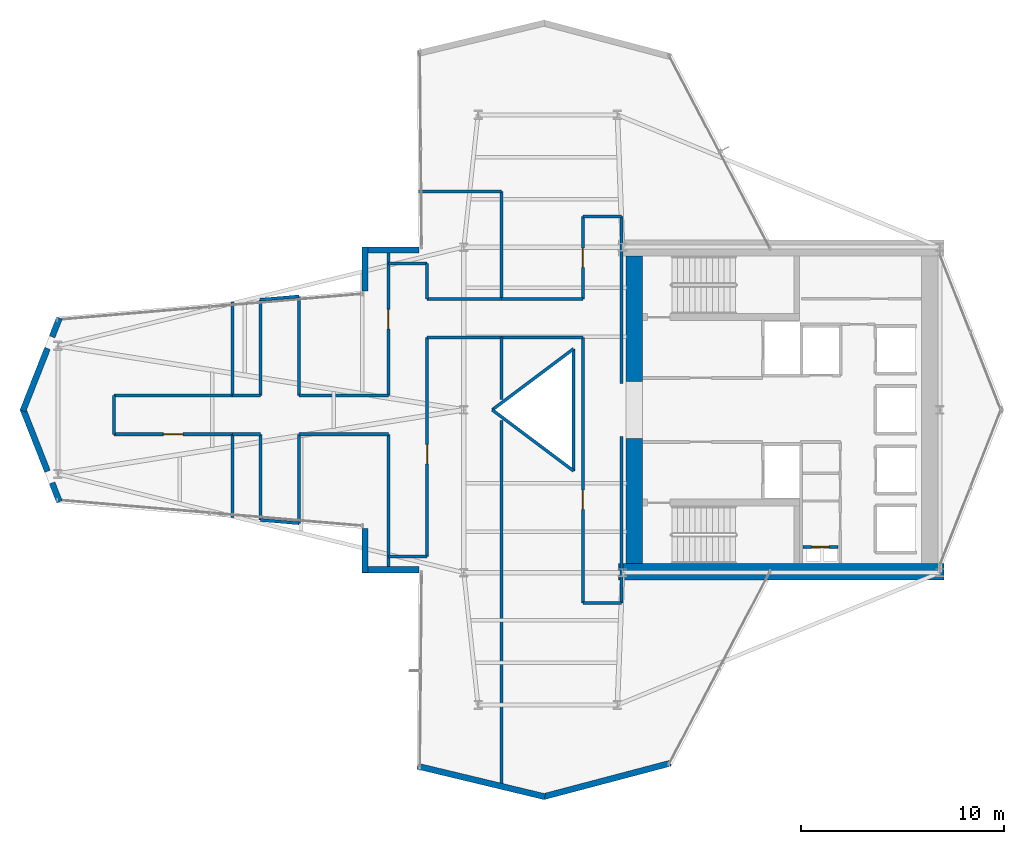
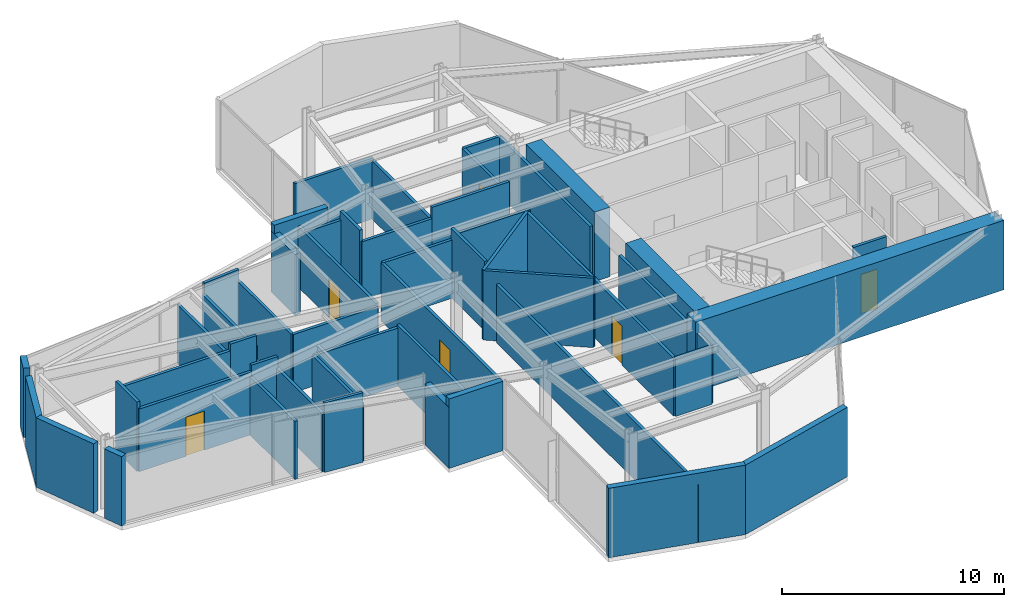
# One storey, part 22 of 25: 52 walls, 6 doors, 6 openings.
"""IFC4 building model written with IfcOpenShell, lengths in metres."""

from ifc_helpers import new_model, si_unit, direction, frame, frame_2d, origin, place, context, subcontext, project, spatial, rectangle, extrude, material, layer, layer_set, type_object, element, fill, save


model = new_model("IFC4")

# Units and contexts
model_context = context("Model", 3, precision=1e-05, world=origin(), true_north=direction((0.0, 1.0)))
body_context = subcontext(model_context, "Body", "Model", "MODEL_VIEW")
ifc_project = project(units=[si_unit("LENGTHUNIT", "METRE"), si_unit("AREAUNIT", "SQUARE_METRE"), si_unit("VOLUMEUNIT", "CUBIC_METRE"), si_unit("PLANEANGLEUNIT", "RADIAN"), si_unit("MASSUNIT", "GRAM", prefix="KILO")], contexts=[model_context])

# Site, building, storey
site_placement = place(None, origin())
site = spatial("IfcSite", under=ifc_project, at=site_placement, CompositionType="ELEMENT")
building_placement = place(site_placement, origin())
building = spatial("IfcBuilding", under=site, at=building_placement, Name="Veymaron Broadcast Tower", CompositionType="ELEMENT")
storey_placement = place(building_placement, frame((0.0, 0.0, 141.14990234375)))
storey = spatial("IfcBuildingStorey", under=building, at=storey_placement, Name="L32", CompositionType="ELEMENT", Elevation=141.14990234375)

# Walls
ifc_material_1 = material(Name="Precast concrete C40/50 with mineral-wool insulation", Category="concrete")
ifc_layer_1 = layer(ifc_material_1, 0.300048828125)
ifc_layer_set_1 = layer_set([ifc_layer_1], Name="Precast concrete C40/50 with mineral-wool insulation")
wall_type_1 = type_object("IfcWallType", Name="WALL-EXT-300", PredefinedType="STANDARD", material=ifc_layer_set_1)
wall_1_placement = place(storey_placement, frame((28.992431640625, 31.860107421875, 0.0), z_axis=(0.0, 0.0, 1.0), x_axis=(-1.0, 0.0, 0.0)))
element("IfcWall", 1, at=wall_1_placement, inside=storey, type_object=wall_type_1, Name="L32 notched corner facade pier 9-1", PredefinedType="STANDARD", context=body_context, shape_type="SweptSolid", body=[
    extrude(rectangle(XDim=2.79248046875, YDim=0.300048828125, at=frame_2d((1.396240234375, 0.0))), origin(), (0.0, 0.0, 1.0), 3.81005859375),
])
wall_2_placement = place(storey_placement, frame((26.340087890625, 32.0, 0.0), z_axis=(0.0, 0.0, 1.0), x_axis=(0.0, -1.0, 0.0)))
element("IfcWall", 2, at=wall_2_placement, inside=storey, type_object=wall_type_1, Name="L32 notched corner facade pier 10-1", PredefinedType="STANDARD", context=body_context, shape_type="SweptSolid", body=[
    extrude(rectangle(XDim=2.162109375, YDim=0.300048828125, at=frame_2d((1.0810546875, 0.0))), origin(), (0.0, 0.0, 1.0), 3.338134765625),
])
wall_3_placement = place(storey_placement, frame((11.330078125, 28.514404296875, 0.0), z_axis=(0.0, 0.0, 1.0), x_axis=(-0.36655033137, -0.930398223651, 0.0)))
element("IfcWall", 3, at=wall_3_placement, inside=storey, type_object=wall_type_1, Name="L32 notched corner facade pier 12-1", PredefinedType="STANDARD", context=body_context, shape_type="SweptSolid", body=[
    extrude(rectangle(XDim=0.992431640625, YDim=0.300048828125, at=frame_2d((0.49609375, 0.0))), origin(), (0.0, 0.0, 1.0), 3.81005859375),
])
for number, where, z_axis, x_axis, name in (
    (4, (10.741455078125, 27.021240234375, 0.0), (0.0, 0.0, 1.0), (-0.366733939115, -0.930325866512, 0.0), "L32 notched corner facade pier 12-2"),
    (5, (9.5302734375, 24.05126953125, 0.0), (0.0, 0.0, 1.0), (0.366733939115, -0.930325866512, 0.0), "L32 notched corner facade pier 13-1"),
):
    element("IfcWall", number, at=place(storey_placement, frame(where, z_axis=z_axis, x_axis=x_axis)), inside=storey, type_object=wall_type_1, Name=name, PredefinedType="STANDARD", context=body_context, shape_type="SweptSolid", body=[
        extrude(rectangle(XDim=3.302734375, YDim=0.300048828125, at=frame_2d((1.6513671875, 0.0))), origin(), (0.0, 0.0, 1.0), 3.81005859375),
    ])
wall_4_placement = place(storey_placement, frame((10.96630859375, 20.408935546875, 0.0), z_axis=(0.0, 0.0, 1.0), x_axis=(0.36655033137, -0.930398223651, 0.0)))
element("IfcWall", 6, at=wall_4_placement, inside=storey, type_object=wall_type_1, Name="L32 notched corner facade pier 13-2", PredefinedType="STANDARD", context=body_context, shape_type="SweptSolid", body=[
    extrude(rectangle(XDim=0.992431640625, YDim=0.300048828125, at=frame_2d((0.49609375, 0.0))), origin(), (0.0, 0.0, 1.0), 3.81005859375),
])
wall_5_placement = place(storey_placement, frame((26.340087890625, 18.162109375, 0.0), z_axis=(0.0, 0.0, 1.0), x_axis=(0.0, -1.0, 0.0)))
element("IfcWall", 7, at=wall_5_placement, inside=storey, type_object=wall_type_1, Name="L32 notched corner facade pier 15-1", PredefinedType="STANDARD", context=body_context, shape_type="SweptSolid", body=[
    extrude(rectangle(XDim=2.162109375, YDim=0.300048828125, at=frame_2d((1.0810546875, 0.0))), origin(), (0.0, 0.0, 1.0), 3.338134765625),
])
wall_6_placement = place(storey_placement, frame((26.199951171875, 16.139892578125, 0.0), z_axis=(0.0, 0.0, 1.0), x_axis=(1.0, 0.0, 0.0)))
element("IfcWall", 8, at=wall_6_placement, inside=storey, type_object=wall_type_1, Name="L32 notched corner facade pier 16-1", PredefinedType="STANDARD", context=body_context, shape_type="SweptSolid", body=[
    extrude(rectangle(XDim=2.79248046875, YDim=0.300048828125, at=frame_2d((1.396240234375, 0.0))), origin(), (0.0, 0.0, 1.0), 3.81005859375),
])
wall_7_placement = place(storey_placement, frame((28.934814453125, 6.486083984375, 0.0), z_axis=(0.0, 0.0, 1.0), x_axis=(0.972368674271, -0.233450554286, 0.0)))
element("IfcWall", 9, at=wall_7_placement, inside=storey, type_object=wall_type_1, Name="L32 notched corner facade pier 18-1", PredefinedType="STANDARD", context=body_context, shape_type="SweptSolid", body=[
    extrude(rectangle(XDim=6.42529296875, YDim=0.300048828125, at=frame_2d((3.212646484375, 0.0))), origin(), (0.0, 0.0, 1.0), 3.81005859375),
])
wall_8_placement = place(storey_placement, frame((35.1142578125, 4.9853515625, 0.0), z_axis=(0.0, 0.0, 1.0), x_axis=(0.966846094442, 0.255359804319, 0.0)))
element("IfcWall", 10, at=wall_8_placement, inside=storey, type_object=wall_type_1, Name="L32 notched corner facade pier 19-1", PredefinedType="STANDARD", context=body_context, shape_type="SweptSolid", body=[
    extrude(rectangle(XDim=6.462158203125, YDim=0.300048828125, at=frame_2d((3.23095703125, 0.0))), origin(), (0.0, 0.0, 1.0), 3.81005859375),
])

# Wall, opening, door
ifc_material_2 = material(Name="Gypsum fireboard and steel stud framing", Category="steel")
ifc_layer_2 = layer(ifc_material_2, 0.14990234375)
ifc_layer_set_2 = layer_set([ifc_layer_2], Name="Gypsum fireboard and steel stud framing")
wall_type_2 = type_object("IfcWallType", Name="WALL-FIRE-150", PredefinedType="PARTITIONING", material=ifc_layer_set_2)
wall_9_placement = place(storey_placement, frame((47.8798828125, 17.260009765625, 0.0), z_axis=(0.0, 0.0, 1.0), x_axis=(1.0, 0.0, 0.0)))
wall_9 = element("IfcWall", 11, at=wall_9_placement, inside=storey, type_object=wall_type_2, Name="L32 partition IW-L32-RIS-N", PredefinedType="PARTITIONING", context=body_context, shape_type="SweptSolid", body=[
    extrude(rectangle(XDim=1.72021484375, YDim=0.14990234375, at=frame_2d((0.860107421875, 0.0))), origin(), (0.0, 0.0, 1.0), 3.81005859375),
])
opening_1_placement = place(wall_9_placement, frame((0.419921875, 0.0, 0.0)))
opening_1 = element("IfcOpeningElement", 12, at=opening_1_placement, cuts=wall_9, Name="Opening ID-RS1", PredefinedType="OPENING", context=body_context, shape_type="SweptSolid", body=[
    extrude(rectangle(XDim=0.85009765625, YDim=2.14990234375, at=frame_2d((0.425048828125, 1.074951171875))), frame((0.0, 0.0849609375, 0.0), z_axis=(0.0, -1.0, 0.0), x_axis=(1.0, 0.0, 0.0)), (0.0, 0.0, 1.0), 0.169921875),
])
ifc_material_3 = material(Name="Fire-rated powder-coated steel riser leaf", Category="steel")
door_type_1 = type_object("IfcDoorType", Name="DOOR-RIS-850", OperationType="NOTDEFINED", PredefinedType="TRAPDOOR", material=ifc_material_3)
door_1_placement = place(opening_1_placement, origin())
door_1 = element("IfcDoor", 13, at=door_1_placement, inside=storey, type_object=door_type_1, Name="L32 door DR-L32-RIS", OperationType="SINGLE_SWING_LEFT", OverallHeight=2.14990234375, OverallWidth=0.85009765625, PredefinedType="TRAPDOOR", context=body_context, shape_type="SweptSolid", body=[
    extrude(rectangle(XDim=0.85009765625, YDim=2.14990234375, at=frame_2d((0.425048828125, 1.074951171875))), frame((0.0, 0.02490234375, 0.0), z_axis=(0.0, -1.0, 0.0), x_axis=(1.0, 0.0, 0.0)), (0.0, 0.0, 1.0), 0.050048828125),
])
fill(opening_1, door_1)

wall_10_placement = place(storey_placement, frame((37.050048828125, 14.5, 0.0), z_axis=(0.0, 0.0, 1.0), x_axis=(0.0, 1.0, 0.0)))
wall_10 = element("IfcWall", 14, at=wall_10_placement, inside=storey, type_object=wall_type_2, Name="L32 partition IW-L32-P01", PredefinedType="PARTITIONING", context=body_context, shape_type="SweptSolid", body=[
    extrude(rectangle(XDim=13.050048828125, YDim=0.14990234375, at=frame_2d((6.52490234375, 0.0))), origin(), (0.0, 0.0, 1.0), 3.190185546875),
])
opening_2_placement = place(wall_10_placement, frame((4.610107421875, 0.0, 0.0)))
opening_2 = element("IfcOpeningElement", 15, at=opening_2_placement, cuts=wall_10, Name="Opening ID-RM1", PredefinedType="OPENING", context=body_context, shape_type="SweptSolid", body=[
    extrude(rectangle(XDim=0.949951171875, YDim=2.14990234375, at=frame_2d((0.47509765625, 1.074951171875))), frame((0.0, 0.0849609375, 0.0), z_axis=(0.0, -1.0, 0.0), x_axis=(1.0, 0.0, 0.0)), (0.0, 0.0, 1.0), 0.169921875),
])
ifc_material_4 = material(Name="Acoustic solid-core European oak veneer timber", Category="wood")
door_type_2 = type_object("IfcDoorType", Name="DOOR-INT-950", OperationType="NOTDEFINED", PredefinedType="DOOR", material=ifc_material_4)
door_2_placement = place(opening_2_placement, frame((0.949951171875, 0.0, 0.0), z_axis=(0.0, 0.0, 1.0), x_axis=(-1.0, 0.0, 0.0)))
door_2 = element("IfcDoor", 16, at=door_2_placement, inside=storey, type_object=door_type_2, Name="L32 door DR-L32-P01", OperationType="SINGLE_SWING_RIGHT", OverallHeight=2.14990234375, OverallWidth=0.949951171875, PredefinedType="DOOR", context=body_context, shape_type="SweptSolid", body=[
    extrude(rectangle(XDim=0.949951171875, YDim=2.14990234375, at=frame_2d((0.47509765625, 1.074951171875))), frame((0.0, 0.02490234375, 0.0), z_axis=(0.0, -1.0, 0.0), x_axis=(1.0, 0.0, 0.0)), (0.0, 0.0, 1.0), 0.050048828125),
])
fill(opening_2, door_2)

wall_11_placement = place(storey_placement, frame((29.39990234375, 16.800048828125, 0.0), z_axis=(0.0, 0.0, 1.0), x_axis=(0.0, 1.0, 0.0)))
wall_11 = element("IfcWall", 17, at=wall_11_placement, inside=storey, type_object=wall_type_2, Name="L32 partition IW-L32-P05", PredefinedType="PARTITIONING", context=body_context, shape_type="SweptSolid", body=[
    extrude(rectangle(XDim=10.75, YDim=0.14990234375, at=frame_2d((5.375, 0.0))), origin(), (0.0, 0.0, 1.0), 3.190185546875),
])
opening_3_placement = place(wall_11_placement, frame((4.5400390625, 0.0, 0.0)))
opening_3 = element("IfcOpeningElement", 18, at=opening_3_placement, cuts=wall_11, Name="Opening ID-RM1", PredefinedType="OPENING", context=body_context, shape_type="SweptSolid", body=[
    extrude(rectangle(XDim=0.949951171875, YDim=2.14990234375, at=frame_2d((0.47509765625, 1.074951171875))), frame((0.0, 0.0849609375, 0.0), z_axis=(0.0, -1.0, 0.0), x_axis=(1.0, 0.0, 0.0)), (0.0, 0.0, 1.0), 0.169921875),
])
door_3_placement = place(opening_3_placement, frame((0.949951171875, 0.0, 0.0), z_axis=(0.0, 0.0, 1.0), x_axis=(-1.0, 0.0, 0.0)))
door_3 = element("IfcDoor", 19, at=door_3_placement, inside=storey, type_object=door_type_2, Name="L32 door DR-L32-P05", OperationType="SINGLE_SWING_RIGHT", OverallHeight=2.14990234375, OverallWidth=0.949951171875, PredefinedType="DOOR", context=body_context, shape_type="SweptSolid", body=[
    extrude(rectangle(XDim=0.949951171875, YDim=2.14990234375, at=frame_2d((0.47509765625, 1.074951171875))), frame((0.0, 0.02490234375, 0.0), z_axis=(0.0, -1.0, 0.0), x_axis=(1.0, 0.0, 0.0)), (0.0, 0.0, 1.0), 0.050048828125),
])
fill(opening_3, door_3)

wall_12_placement = place(storey_placement, frame((14.0, 22.800048828125, 0.0), z_axis=(0.0, 0.0, 1.0), x_axis=(1.0, 0.0, 0.0)))
wall_12 = element("IfcWall", 20, at=wall_12_placement, inside=storey, type_object=wall_type_2, Name="L32 partition IW-L32-P14", PredefinedType="PARTITIONING", context=body_context, shape_type="SweptSolid", body=[
    extrude(rectangle(XDim=5.8310546875, YDim=0.14990234375, at=frame_2d((2.91552734375, 0.0))), origin(), (0.0, 0.0, 1.0), 3.443115234375),
])
opening_4_placement = place(wall_12_placement, frame((2.4404296875, 0.0, 0.0)))
opening_4 = element("IfcOpeningElement", 21, at=opening_4_placement, cuts=wall_12, Name="Opening ID-RM1", PredefinedType="OPENING", context=body_context, shape_type="SweptSolid", body=[
    extrude(rectangle(XDim=0.949951171875, YDim=2.14990234375, at=frame_2d((0.47509765625, 1.074951171875))), frame((0.0, 0.0849609375, 0.0), z_axis=(0.0, -1.0, 0.0), x_axis=(1.0, 0.0, 0.0)), (0.0, 0.0, 1.0), 0.169921875),
])
door_4_placement = place(opening_4_placement, frame((0.949951171875, 0.0, 0.0), z_axis=(0.0, 0.0, 1.0), x_axis=(-1.0, 0.0, 0.0)))
door_4 = element("IfcDoor", 22, at=door_4_placement, inside=storey, type_object=door_type_2, Name="L32 door DR-L32-P14", OperationType="SINGLE_SWING_LEFT", OverallHeight=2.14990234375, OverallWidth=0.949951171875, PredefinedType="DOOR", context=body_context, shape_type="SweptSolid", body=[
    extrude(rectangle(XDim=0.949951171875, YDim=2.14990234375, at=frame_2d((0.47509765625, 1.074951171875))), frame((0.0, 0.02490234375, 0.0), z_axis=(0.0, -1.0, 0.0), x_axis=(1.0, 0.0, 0.0)), (0.0, 0.0, 1.0), 0.050048828125),
])
fill(opening_4, door_4)

wall_13_placement = place(storey_placement, frame((27.5, 24.699951171875, 0.0), z_axis=(0.0, 0.0, 1.0), x_axis=(0.0, 1.0, 0.0)))
wall_13 = element("IfcWall", 23, at=wall_13_placement, inside=storey, type_object=wall_type_2, Name="L32 partition IW-L32-P17", PredefinedType="PARTITIONING", context=body_context, shape_type="SweptSolid", body=[
    extrude(rectangle(XDim=7.16015625, YDim=0.14990234375, at=frame_2d((3.580078125, 0.0))), origin(), (0.0, 0.0, 1.0), 3.338134765625),
])
opening_5_placement = place(wall_13_placement, frame((3.284912109375, 0.0, 0.0)))
opening_5 = element("IfcOpeningElement", 24, at=opening_5_placement, cuts=wall_13, Name="Opening ID-RM1", PredefinedType="OPENING", context=body_context, shape_type="SweptSolid", body=[
    extrude(rectangle(XDim=0.949951171875, YDim=2.14990234375, at=frame_2d((0.47509765625, 1.074951171875))), frame((0.0, 0.0849609375, 0.0), z_axis=(0.0, -1.0, 0.0), x_axis=(1.0, 0.0, 0.0)), (0.0, 0.0, 1.0), 0.169921875),
])
door_5_placement = place(opening_5_placement, origin())
door_5 = element("IfcDoor", 25, at=door_5_placement, inside=storey, type_object=door_type_2, Name="L32 door DR-L32-P17", OperationType="SINGLE_SWING_RIGHT", OverallHeight=2.14990234375, OverallWidth=0.949951171875, PredefinedType="DOOR", context=body_context, shape_type="SweptSolid", body=[
    extrude(rectangle(XDim=0.949951171875, YDim=2.14990234375, at=frame_2d((0.47509765625, 1.074951171875))), frame((0.0, 0.02490234375, 0.0), z_axis=(0.0, -1.0, 0.0), x_axis=(1.0, 0.0, 0.0)), (0.0, 0.0, 1.0), 0.050048828125),
])
fill(opening_5, door_5)

wall_14_placement = place(storey_placement, frame((37.050048828125, 29.449951171875, 0.0), z_axis=(0.0, 0.0, 1.0), x_axis=(0.0, 1.0, 0.0)))
wall_14 = element("IfcWall", 26, at=wall_14_placement, inside=storey, type_object=wall_type_2, Name="L32 partition IW-L32-P27", PredefinedType="PARTITIONING", context=body_context, shape_type="SweptSolid", body=[
    extrude(rectangle(XDim=4.050048828125, YDim=0.14990234375, at=frame_2d((2.02490234375, 0.0))), origin(), (0.0, 0.0, 1.0), 3.190185546875),
])
opening_6_placement = place(wall_14_placement, frame((1.550048828125, 0.0, 0.0)))
opening_6 = element("IfcOpeningElement", 27, at=opening_6_placement, cuts=wall_14, Name="Opening ID-RM1", PredefinedType="OPENING", context=body_context, shape_type="SweptSolid", body=[
    extrude(rectangle(XDim=0.949951171875, YDim=2.14990234375, at=frame_2d((0.47509765625, 1.074951171875))), frame((0.0, 0.0849609375, 0.0), z_axis=(0.0, -1.0, 0.0), x_axis=(1.0, 0.0, 0.0)), (0.0, 0.0, 1.0), 0.169921875),
])
door_6_placement = place(opening_6_placement, origin())
door_6 = element("IfcDoor", 28, at=door_6_placement, inside=storey, type_object=door_type_2, Name="L32 door DR-L32-P27", OperationType="SINGLE_SWING_RIGHT", OverallHeight=2.14990234375, OverallWidth=0.949951171875, PredefinedType="DOOR", context=body_context, shape_type="SweptSolid", body=[
    extrude(rectangle(XDim=0.949951171875, YDim=2.14990234375, at=frame_2d((0.47509765625, 1.074951171875))), frame((0.0, 0.02490234375, 0.0), z_axis=(0.0, -1.0, 0.0), x_axis=(1.0, 0.0, 0.0)), (0.0, 0.0, 1.0), 0.050048828125),
])
fill(opening_6, door_6)

# Walls
wall_15_placement = place(storey_placement, frame((38.949951171875, 14.5, 0.0), z_axis=(0.0, 0.0, 1.0), x_axis=(0.0, 1.0, 0.0)))
element("IfcWall", 29, at=wall_15_placement, inside=storey, type_object=wall_type_2, Name="L32 partition IW-L32-P02", PredefinedType="PARTITIONING", context=body_context, shape_type="SweptSolid", body=[
    extrude(rectangle(XDim=8.199951171875, YDim=0.14990234375, at=frame_2d((4.10009765625, 0.0))), origin(), (0.0, 0.0, 1.0), 3.190185546875),
])
wall_16_placement = place(storey_placement, frame((33.0439453125, 27.550048828125, 0.0), z_axis=(0.0, 0.0, 1.0), x_axis=(1.0, 0.0, 0.0)))
element("IfcWall", 30, at=wall_16_placement, inside=storey, type_object=wall_type_2, Name="L32 partition IW-L32-P03", PredefinedType="PARTITIONING", context=body_context, shape_type="SweptSolid", body=[
    extrude(rectangle(XDim=4.006103515625, YDim=0.14990234375, at=frame_2d((2.0029296875, 0.0))), origin(), (0.0, 0.0, 1.0), 3.443115234375),
])
wall_17_placement = place(storey_placement, frame((37.050048828125, 14.5, 0.0), z_axis=(0.0, 0.0, 1.0), x_axis=(1.0, 0.0, 0.0)))
element("IfcWall", 31, at=wall_17_placement, inside=storey, type_object=wall_type_2, Name="L32 partition IW-L32-P04", PredefinedType="PARTITIONING", context=body_context, shape_type="SweptSolid", body=[
    extrude(rectangle(XDim=1.89990234375, YDim=0.14990234375, at=frame_2d((0.949951171875, 0.0))), origin(), (0.0, 0.0, 1.0), 3.190185546875),
])
wall_18_placement = place(storey_placement, frame((27.5, 16.139892578125, 0.0), z_axis=(0.0, 0.0, 1.0), x_axis=(0.0, 1.0, 0.0)))
element("IfcWall", 32, at=wall_18_placement, inside=storey, type_object=wall_type_2, Name="L32 partition IW-L32-P06", PredefinedType="PARTITIONING", context=body_context, shape_type="SweptSolid", body=[
    extrude(rectangle(XDim=6.66015625, YDim=0.14990234375, at=frame_2d((3.330078125, 0.0))), origin(), (0.0, 0.0, 1.0), 3.338134765625),
])
wall_19_placement = place(storey_placement, frame((23.10009765625, 22.800048828125, 0.0), z_axis=(0.0, 0.0, 1.0), x_axis=(1.0, 0.0, 0.0)))
element("IfcWall", 33, at=wall_19_placement, inside=storey, type_object=wall_type_2, Name="L32 partition IW-L32-P07", PredefinedType="PARTITIONING", context=body_context, shape_type="SweptSolid", body=[
    extrude(rectangle(XDim=4.39990234375, YDim=0.14990234375, at=frame_2d((2.199951171875, 0.0))), origin(), (0.0, 0.0, 1.0), 3.190185546875),
])
wall_20_placement = place(storey_placement, frame((23.10009765625, 18.425048828125, 0.0), z_axis=(0.0, 0.0, 1.0), x_axis=(0.0, 1.0, 0.0)))
element("IfcWall", 34, at=wall_20_placement, inside=storey, type_object=wall_type_2, Name="L32 partition IW-L32-P08", PredefinedType="PARTITIONING", context=body_context, shape_type="SweptSolid", body=[
    extrude(rectangle(XDim=4.375, YDim=0.14990234375, at=frame_2d((2.1875, 0.0))), origin(), (0.0, 0.0, 1.0), 3.190185546875),
])
wall_21_placement = place(storey_placement, frame((21.199951171875, 18.586181640625, 0.0), z_axis=(0.0, 0.0, 1.0), x_axis=(0.0, 1.0, 0.0)))
element("IfcWall", 35, at=wall_21_placement, inside=storey, type_object=wall_type_2, Name="L32 partition IW-L32-P09", PredefinedType="PARTITIONING", context=body_context, shape_type="SweptSolid", body=[
    extrude(rectangle(XDim=4.2138671875, YDim=0.14990234375, at=frame_2d((2.10693359375, 0.0))), origin(), (0.0, 0.0, 1.0), 3.190185546875),
])
wall_22_placement = place(storey_placement, frame((29.39990234375, 27.550048828125, 0.0), z_axis=(0.0, 0.0, 1.0), x_axis=(1.0, 0.0, 0.0)))
element("IfcWall", 36, at=wall_22_placement, inside=storey, type_object=wall_type_2, Name="L32 partition IW-L32-P10", PredefinedType="PARTITIONING", context=body_context, shape_type="SweptSolid", body=[
    extrude(rectangle(XDim=3.64404296875, YDim=0.14990234375, at=frame_2d((1.822021484375, 0.0))), origin(), (0.0, 0.0, 1.0), 3.190185546875),
])
wall_23_placement = place(storey_placement, frame((21.199951171875, 18.586181640625, 0.0), z_axis=(0.0, 0.0, 1.0), x_axis=(0.996423738921, -0.084496937902, 0.0)))
element("IfcWall", 37, at=wall_23_placement, inside=storey, type_object=wall_type_2, Name="L32 partition IW-L32-P11", PredefinedType="PARTITIONING", context=body_context, shape_type="SweptSolid", body=[
    extrude(rectangle(XDim=1.906982421875, YDim=0.14990234375, at=frame_2d((0.95361328125, 0.0))), origin(), (0.0, 0.0, 1.0), 3.81005859375),
])
wall_24_placement = place(storey_placement, frame((27.5, 16.800048828125, 0.0), z_axis=(0.0, 0.0, 1.0), x_axis=(1.0, 0.0, 0.0)))
element("IfcWall", 38, at=wall_24_placement, inside=storey, type_object=wall_type_2, Name="L32 partition IW-L32-P12", PredefinedType="PARTITIONING", context=body_context, shape_type="SweptSolid", body=[
    extrude(rectangle(XDim=1.89990234375, YDim=0.14990234375, at=frame_2d((0.949951171875, 0.0))), origin(), (0.0, 0.0, 1.0), 3.338134765625),
])
wall_25_placement = place(storey_placement, frame((19.8310546875, 22.800048828125, 0.0), z_axis=(0.0, 0.0, 1.0), x_axis=(1.0, 0.0, 0.0)))
element("IfcWall", 39, at=wall_25_placement, inside=storey, type_object=wall_type_2, Name="L32 partition IW-L32-P13", PredefinedType="PARTITIONING", context=body_context, shape_type="SweptSolid", body=[
    extrude(rectangle(XDim=1.368896484375, YDim=0.14990234375, at=frame_2d((0.6845703125, 0.0))), origin(), (0.0, 0.0, 1.0), 3.81005859375),
])
wall_26_placement = place(storey_placement, frame((14.0, 24.699951171875, 0.0), z_axis=(0.0, 0.0, 1.0), x_axis=(1.0, 0.0, 0.0)))
element("IfcWall", 40, at=wall_26_placement, inside=storey, type_object=wall_type_2, Name="L32 partition IW-L32-P15", PredefinedType="PARTITIONING", context=body_context, shape_type="SweptSolid", body=[
    extrude(rectangle(XDim=5.8310546875, YDim=0.14990234375, at=frame_2d((2.91552734375, 0.0))), origin(), (0.0, 0.0, 1.0), 3.443115234375),
])
wall_27_placement = place(storey_placement, frame((14.0, 22.800048828125, 0.0), z_axis=(0.0, 0.0, 1.0), x_axis=(0.0, 1.0, 0.0)))
element("IfcWall", 41, at=wall_27_placement, inside=storey, type_object=wall_type_2, Name="L32 partition IW-L32-P16", PredefinedType="PARTITIONING", context=body_context, shape_type="SweptSolid", body=[
    extrude(rectangle(XDim=1.89990234375, YDim=0.14990234375, at=frame_2d((0.949951171875, 0.0))), origin(), (0.0, 0.0, 1.0), 3.81005859375),
])
wall_28_placement = place(storey_placement, frame((23.10009765625, 24.699951171875, 0.0), z_axis=(0.0, 0.0, 1.0), x_axis=(0.0, 1.0, 0.0)))
element("IfcWall", 42, at=wall_28_placement, inside=storey, type_object=wall_type_2, Name="L32 partition IW-L32-P18", PredefinedType="PARTITIONING", context=body_context, shape_type="SweptSolid", body=[
    extrude(rectangle(XDim=4.875, YDim=0.14990234375, at=frame_2d((2.4375, 0.0))), origin(), (0.0, 0.0, 1.0), 3.190185546875),
])
wall_29_placement = place(storey_placement, frame((21.199951171875, 24.699951171875, 0.0), z_axis=(0.0, 0.0, 1.0), x_axis=(0.0, 1.0, 0.0)))
element("IfcWall", 43, at=wall_29_placement, inside=storey, type_object=wall_type_2, Name="L32 partition IW-L32-P19", PredefinedType="PARTITIONING", context=body_context, shape_type="SweptSolid", body=[
    extrude(rectangle(XDim=4.7138671875, YDim=0.14990234375, at=frame_2d((2.35693359375, 0.0))), origin(), (0.0, 0.0, 1.0), 3.190185546875),
])
wall_30_placement = place(storey_placement, frame((23.10009765625, 24.699951171875, 0.0), z_axis=(0.0, 0.0, 1.0), x_axis=(1.0, 0.0, 0.0)))
element("IfcWall", 44, at=wall_30_placement, inside=storey, type_object=wall_type_2, Name="L32 partition IW-L32-P20", PredefinedType="PARTITIONING", context=body_context, shape_type="SweptSolid", body=[
    extrude(rectangle(XDim=4.39990234375, YDim=0.14990234375, at=frame_2d((2.199951171875, 0.0))), origin(), (0.0, 0.0, 1.0), 3.190185546875),
])
wall_31_placement = place(storey_placement, frame((29.39990234375, 29.449951171875, 0.0), z_axis=(0.0, 0.0, 1.0), x_axis=(1.0, 0.0, 0.0)))
element("IfcWall", 45, at=wall_31_placement, inside=storey, type_object=wall_type_2, Name="L32 partition IW-L32-P21", PredefinedType="PARTITIONING", context=body_context, shape_type="SweptSolid", body=[
    extrude(rectangle(XDim=3.64404296875, YDim=0.14990234375, at=frame_2d((1.822021484375, 0.0))), origin(), (0.0, 0.0, 1.0), 3.190185546875),
])
wall_32_placement = place(storey_placement, frame((21.199951171875, 29.413818359375, 0.0), z_axis=(0.0, 0.0, 1.0), x_axis=(0.996423738921, 0.084496937902, 0.0)))
element("IfcWall", 46, at=wall_32_placement, inside=storey, type_object=wall_type_2, Name="L32 partition IW-L32-P22", PredefinedType="PARTITIONING", context=body_context, shape_type="SweptSolid", body=[
    extrude(rectangle(XDim=1.906982421875, YDim=0.14990234375, at=frame_2d((0.95361328125, 0.0))), origin(), (0.0, 0.0, 1.0), 3.81005859375),
])
wall_33_placement = place(storey_placement, frame((27.5, 31.199951171875, 0.0), z_axis=(0.0, 0.0, 1.0), x_axis=(1.0, 0.0, 0.0)))
element("IfcWall", 47, at=wall_33_placement, inside=storey, type_object=wall_type_2, Name="L32 partition IW-L32-P23", PredefinedType="PARTITIONING", context=body_context, shape_type="SweptSolid", body=[
    extrude(rectangle(XDim=1.89990234375, YDim=0.14990234375, at=frame_2d((0.949951171875, 0.0))), origin(), (0.0, 0.0, 1.0), 3.338134765625),
])
wall_34_placement = place(storey_placement, frame((29.39990234375, 29.449951171875, 0.0), z_axis=(0.0, 0.0, 1.0), x_axis=(0.0, 1.0, 0.0)))
element("IfcWall", 48, at=wall_34_placement, inside=storey, type_object=wall_type_2, Name="L32 partition IW-L32-P24", PredefinedType="PARTITIONING", context=body_context, shape_type="SweptSolid", body=[
    extrude(rectangle(XDim=1.75, YDim=0.14990234375, at=frame_2d((0.875, 0.0))), origin(), (0.0, 0.0, 1.0), 3.81005859375),
])
wall_35_placement = place(storey_placement, frame((19.8310546875, 24.699951171875, 0.0), z_axis=(0.0, 0.0, 1.0), x_axis=(1.0, 0.0, 0.0)))
element("IfcWall", 49, at=wall_35_placement, inside=storey, type_object=wall_type_2, Name="L32 partition IW-L32-P25", PredefinedType="PARTITIONING", context=body_context, shape_type="SweptSolid", body=[
    extrude(rectangle(XDim=1.368896484375, YDim=0.14990234375, at=frame_2d((0.6845703125, 0.0))), origin(), (0.0, 0.0, 1.0), 3.81005859375),
])
wall_36_placement = place(storey_placement, frame((38.949951171875, 25.300048828125, 0.0), z_axis=(0.0, 0.0, 1.0), x_axis=(0.0, 1.0, 0.0)))
element("IfcWall", 50, at=wall_36_placement, inside=storey, type_object=wall_type_2, Name="L32 partition IW-L32-P26", PredefinedType="PARTITIONING", context=body_context, shape_type="SweptSolid", body=[
    extrude(rectangle(XDim=8.199951171875, YDim=0.14990234375, at=frame_2d((4.10009765625, 0.0))), origin(), (0.0, 0.0, 1.0), 3.190185546875),
])
wall_37_placement = place(storey_placement, frame((33.0439453125, 29.449951171875, 0.0), z_axis=(0.0, 0.0, 1.0), x_axis=(1.0, 0.0, 0.0)))
element("IfcWall", 51, at=wall_37_placement, inside=storey, type_object=wall_type_2, Name="L32 partition IW-L32-P28", PredefinedType="PARTITIONING", context=body_context, shape_type="SweptSolid", body=[
    extrude(rectangle(XDim=4.006103515625, YDim=0.14990234375, at=frame_2d((2.0029296875, 0.0))), origin(), (0.0, 0.0, 1.0), 3.81005859375),
])
wall_38_placement = place(storey_placement, frame((37.050048828125, 33.5, 0.0), z_axis=(0.0, 0.0, 1.0), x_axis=(1.0, 0.0, 0.0)))
element("IfcWall", 52, at=wall_38_placement, inside=storey, type_object=wall_type_2, Name="L32 partition IW-L32-P29", PredefinedType="PARTITIONING", context=body_context, shape_type="SweptSolid", body=[
    extrude(rectangle(XDim=1.89990234375, YDim=0.14990234375, at=frame_2d((0.949951171875, 0.0))), origin(), (0.0, 0.0, 1.0), 3.190185546875),
])
ifc_material_5 = material(Name="Fire-rated laminated glass in aluminium frame", Category="aluminium")
ifc_layer_3 = layer(ifc_material_5, 0.14990234375)
ifc_layer_set_3 = layer_set([ifc_layer_3], Name="Fire-rated laminated glass in aluminium frame")
wall_type_3 = type_object("IfcWallType", Name="WALL-GLZ-150", PredefinedType="MOVABLE", material=ifc_layer_set_3)
wall_39_placement = place(storey_placement, frame((33.0439453125, 5.355712890625, 0.0), z_axis=(0.0, 0.0, 1.0), x_axis=(0.0, 1.0, 0.0)))
element("IfcWall", 53, at=wall_39_placement, inside=storey, type_object=wall_type_3, Name="L32 partition IW-L32-P30", PredefinedType="MOVABLE", context=body_context, shape_type="SweptSolid", body=[
    extrude(rectangle(XDim=18.123779296875, YDim=0.14990234375, at=frame_2d((9.06201171875, 0.0))), origin(), (0.0, 0.0, 1.0), 3.190185546875),
])
wall_40_placement = place(storey_placement, frame((33.0439453125, 24.5205078125, 0.0), z_axis=(0.0, 0.0, 1.0), x_axis=(0.0, 1.0, 0.0)))
element("IfcWall", 54, at=wall_40_placement, inside=storey, type_object=wall_type_3, Name="L32 partition IW-L32-P31", PredefinedType="MOVABLE", context=body_context, shape_type="SweptSolid", body=[
    extrude(rectangle(XDim=3.029541015625, YDim=0.14990234375, at=frame_2d((1.5146484375, 0.0))), origin(), (0.0, 0.0, 1.0), 3.81005859375),
])
wall_41_placement = place(storey_placement, frame((19.8310546875, 18.702392578125, 0.0), z_axis=(0.0, 0.0, 1.0), x_axis=(0.0, 1.0, 0.0)))
element("IfcWall", 55, at=wall_41_placement, inside=storey, type_object=wall_type_3, Name="L32 partition IW-L32-P32", PredefinedType="MOVABLE", context=body_context, shape_type="SweptSolid", body=[
    extrude(rectangle(XDim=4.09765625, YDim=0.14990234375, at=frame_2d((2.048828125, 0.0))), origin(), (0.0, 0.0, 1.0), 3.190185546875),
])
wall_42_placement = place(storey_placement, frame((19.8310546875, 24.699951171875, 0.0), z_axis=(0.0, 0.0, 1.0), x_axis=(0.0, 1.0, 0.0)))
element("IfcWall", 56, at=wall_42_placement, inside=storey, type_object=wall_type_3, Name="L32 partition IW-L32-P33", PredefinedType="MOVABLE", context=body_context, shape_type="SweptSolid", body=[
    extrude(rectangle(XDim=4.59765625, YDim=0.14990234375, at=frame_2d((2.298828125, 0.0))), origin(), (0.0, 0.0, 1.0), 3.190185546875),
])
wall_43_placement = place(storey_placement, frame((33.0439453125, 29.449951171875, 0.0), z_axis=(0.0, 0.0, 1.0), x_axis=(0.0, 1.0, 0.0)))
element("IfcWall", 57, at=wall_43_placement, inside=storey, type_object=wall_type_3, Name="L32 partition IW-L32-P34", PredefinedType="MOVABLE", context=body_context, shape_type="SweptSolid", body=[
    extrude(rectangle(XDim=5.274169921875, YDim=0.14990234375, at=frame_2d((2.63720703125, 0.0))), origin(), (0.0, 0.0, 1.0), 3.190185546875),
])
wall_44_placement = place(storey_placement, frame((28.967041015625, 34.72412109375, 0.0), z_axis=(0.0, 0.0, 1.0), x_axis=(1.0, 0.0, 0.0)))
element("IfcWall", 58, at=wall_44_placement, inside=storey, type_object=wall_type_3, Name="L32 partition IW-L32-P35", PredefinedType="MOVABLE", context=body_context, shape_type="SweptSolid", body=[
    extrude(rectangle(XDim=4.076904296875, YDim=0.14990234375, at=frame_2d((2.03857421875, 0.0))), origin(), (0.0, 0.0, 1.0), 3.338134765625),
])
wall_45_placement = place(storey_placement, frame((32.60009765625, 24.0, 0.0), z_axis=(0.0, 0.0, 1.0), x_axis=(0.8, -0.6, 0.0)))
element("IfcWall", 59, at=wall_45_placement, inside=storey, type_object=wall_type_3, Name="L32 partition IW-L32-ATR1", PredefinedType="MOVABLE", context=body_context, shape_type="SweptSolid", body=[
    extrude(rectangle(XDim=5.0, YDim=0.14990234375, at=frame_2d((2.5, 0.0))), origin(), (0.0, 0.0, 1.0), 3.81005859375),
])
wall_46_placement = place(storey_placement, frame((36.60009765625, 21.0, 0.0), z_axis=(0.0, 0.0, 1.0), x_axis=(0.0, 1.0, 0.0)))
element("IfcWall", 60, at=wall_46_placement, inside=storey, type_object=wall_type_3, Name="L32 partition IW-L32-ATR2", PredefinedType="MOVABLE", context=body_context, shape_type="SweptSolid", body=[
    extrude(rectangle(XDim=6.0, YDim=0.14990234375, at=frame_2d((3.0, 0.0))), origin(), (0.0, 0.0, 1.0), 3.81005859375),
])
wall_47_placement = place(storey_placement, frame((36.60009765625, 27.0, 0.0), z_axis=(0.0, 0.0, 1.0), x_axis=(-0.8, -0.6, 0.0)))
element("IfcWall", 61, at=wall_47_placement, inside=storey, type_object=wall_type_3, Name="L32 partition IW-L32-ATR3", PredefinedType="MOVABLE", context=body_context, shape_type="SweptSolid", body=[
    extrude(rectangle(XDim=5.0, YDim=0.14990234375, at=frame_2d((2.5, 0.0))), origin(), (0.0, 0.0, 1.0), 3.81005859375),
])
ifc_material_6 = material(Name="Concrete C60/75", Category="concrete")
ifc_layer_4 = layer(ifc_material_6, 0.800048828125)
ifc_layer_set_4 = layer_set([ifc_layer_4], Name="Concrete C60/75")
wall_type_4 = type_object("IfcWallType", Name="WALL-SHEAR-800", PredefinedType="SHEAR", material=ifc_layer_set_4)
wall_48_placement = place(storey_placement, frame((38.800048828125, 16.050048828125, 0.0), z_axis=(0.0, 0.0, 1.0), x_axis=(1.0, 0.0, 0.0)))
element("IfcWall", 62, at=wall_48_placement, inside=storey, type_object=wall_type_4, Name="L32 Core Wall south shear", PredefinedType="SHEAR", context=body_context, shape_type="SweptSolid", body=[
    extrude(rectangle(XDim=16.0, YDim=0.800048828125, at=frame_2d((8.0, 0.0))), origin(), (0.0, 0.0, 1.0), 3.81005859375),
])
for number, where, z_axis, x_axis, name in (
    (63, (39.580078125, 16.449951171875, 0.0), (0.0, 0.0, 1.0), (0.0, 1.0, 0.0), "L32 Core Wall west-south shear"),
    (64, (39.580078125, 25.39990234375, 0.0), (0.0, 0.0, 1.0), (0.0, 1.0, 0.0), "L32 Core Wall west-north shear"),
):
    element("IfcWall", number, at=place(storey_placement, frame(where, z_axis=z_axis, x_axis=x_axis)), inside=storey, type_object=wall_type_4, Name=name, PredefinedType="SHEAR", context=body_context, shape_type="SweptSolid", body=[
        extrude(rectangle(XDim=6.150146484375, YDim=0.800048828125, at=frame_2d((3.0751953125, 0.0))), origin(), (0.0, 0.0, 1.0), 3.81005859375),
    ])

save(model, "model.ifc")
